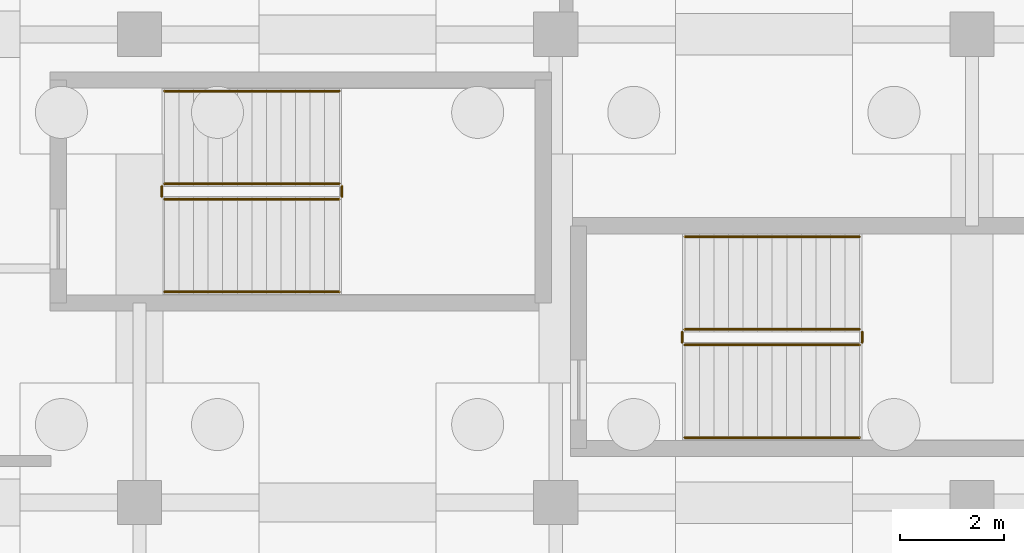
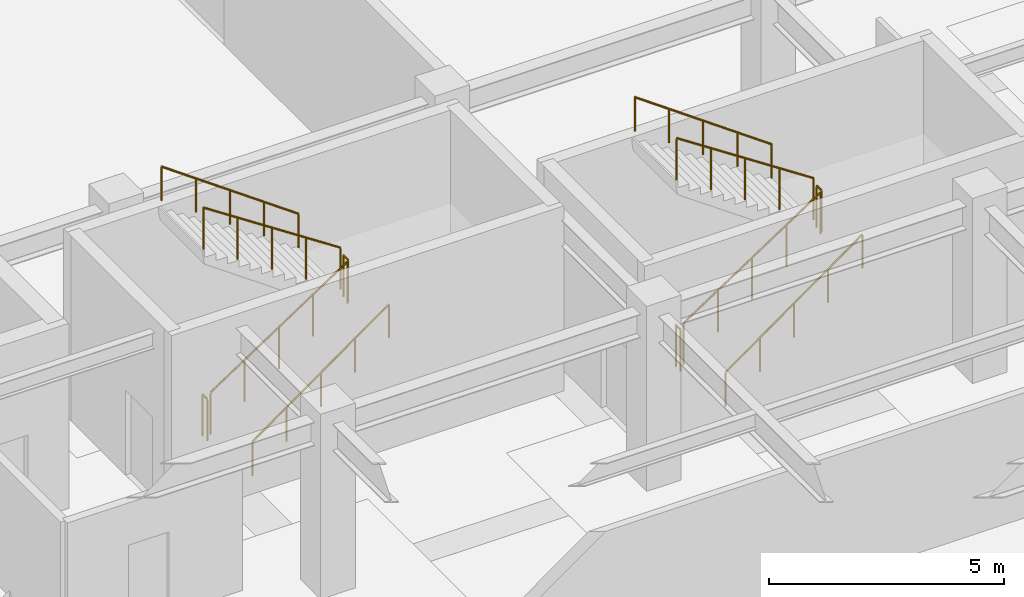
# One storey, part 40 of 48: 12 railings.
"""IFC4 building model written with IfcOpenShell, lengths in metres."""

from ifc_helpers import new_model, si_unit, direction, frame, origin, origin_2d, place, context, subcontext, project, spatial, circle, extrude, material, type_object, element, save


model = new_model("IFC4")

# Units and contexts
model_context = context("Model", 3, precision=1e-05, world=origin(), true_north=direction((0.0, 1.0)))
body_context = subcontext(model_context, "Body", "Model", "MODEL_VIEW")
ifc_project = project(units=[si_unit("LENGTHUNIT", "METRE"), si_unit("AREAUNIT", "SQUARE_METRE"), si_unit("VOLUMEUNIT", "CUBIC_METRE"), si_unit("PLANEANGLEUNIT", "RADIAN"), si_unit("MASSUNIT", "GRAM", prefix="KILO")], contexts=[model_context])

# Site, building, storey
site_placement = place(None, origin())
site = spatial("IfcSite", under=ifc_project, at=site_placement, CompositionType="ELEMENT")
building_placement = place(site_placement, origin())
building = spatial("IfcBuilding", under=site, at=building_placement, Name="Tlacozan Convention Centre", CompositionType="ELEMENT")
storey_placement = place(building_placement, frame((0.0, 0.0, -4.800048828125)))
storey = spatial("IfcBuildingStorey", under=building, at=storey_placement, Name="B01", CompositionType="ELEMENT", Elevation=-4.800048828125)

# Railings
ifc_material = material(Name="Architectural Painted Galvanised Steel Railing", Category="steel")
railing_type_1 = type_object("IfcRailingType", Name="Stair Wall Handrail 900", PredefinedType="HANDRAIL", material=ifc_material)
railing_1_placement = place(storey_placement, frame((40.47998046875, 22.050048828125, 0.1845703125)))
element("IfcRailing", 1, at=railing_1_placement, inside=storey, type_object=railing_type_1, Name="B01 ST-04 stair handrail 1", PredefinedType="HANDRAIL", context=body_context, shape_type="SweptSolid", body=[
    extrude(circle(Radius=0.02392578125, at=origin_2d()), frame((0.0, 0.0, 0.8759765625), z_axis=(0.813725481382, 0.0, 0.581249379312), x_axis=(0.0, 1.0, 0.0)), (0.0, 0.0, 1.0), 4.12939453125),
    extrude(circle(Radius=0.02099609375, at=origin_2d()), origin(), (0.0, 0.0, 1.0), 0.851806640625),
    extrude(circle(Radius=0.02099609375, at=origin_2d()), frame((0.840087890625, 0.0, 0.60009765625)), (0.0, 0.0, 1.0), 0.851806640625),
    extrude(circle(Radius=0.02099609375, at=origin_2d()), frame((1.68017578125, 0.0, 1.2001953125)), (0.0, 0.0, 1.0), 0.851806640625),
    extrude(circle(Radius=0.02099609375, at=origin_2d()), frame((2.52001953125, 0.0, 1.800048828125)), (0.0, 0.0, 1.0), 0.851806640625),
    extrude(circle(Radius=0.02099609375, at=origin_2d()), frame((3.360107421875, 0.0, 2.400146484375)), (0.0, 0.0, 1.0), 0.851806640625),
])
railing_2_placement = place(storey_placement, frame((43.840087890625, 25.909912109375, 2.584716796875)))
element("IfcRailing", 2, at=railing_2_placement, inside=storey, type_object=railing_type_1, Name="B01 ST-04 stair handrail 2", PredefinedType="HANDRAIL", context=body_context, shape_type="SweptSolid", body=[
    extrude(circle(Radius=0.02392578125, at=origin_2d()), frame((0.0, 0.0, 0.8759765625), z_axis=(-0.813753445783, 0.0, 0.581210228297), x_axis=(0.0, -1.0, 0.0)), (0.0, 0.0, 1.0), 4.129150390625),
    extrude(circle(Radius=0.02099609375, at=origin_2d()), origin(), (0.0, 0.0, 1.0), 0.851806640625),
    extrude(circle(Radius=0.02099609375, at=origin_2d()), frame((-0.840087890625, 0.0, 0.60009765625)), (0.0, 0.0, 1.0), 0.851806640625),
    extrude(circle(Radius=0.02099609375, at=origin_2d()), frame((-1.68017578125, 0.0, 1.199951171875)), (0.0, 0.0, 1.0), 0.851806640625),
    extrude(circle(Radius=0.02099609375, at=origin_2d()), frame((-2.52001953125, 0.0, 1.7998046875)), (0.0, 0.0, 1.0), 0.851806640625),
    extrude(circle(Radius=0.02099609375, at=origin_2d()), frame((-3.360107421875, 0.0, 2.39990234375)), (0.0, 0.0, 1.0), 0.851806640625),
])
railing_3_placement = place(storey_placement, frame((50.47998046875, 19.25, 0.1845703125)))
element("IfcRailing", 3, at=railing_3_placement, inside=storey, type_object=railing_type_1, Name="B01 ST-14 stair handrail 1", PredefinedType="HANDRAIL", context=body_context, shape_type="SweptSolid", body=[
    extrude(circle(Radius=0.02392578125, at=origin_2d()), frame((0.0, 0.0, 0.8759765625), z_axis=(0.813725481382, 0.0, 0.581249379312), x_axis=(0.0, 1.0, 0.0)), (0.0, 0.0, 1.0), 4.12939453125),
    extrude(circle(Radius=0.02099609375, at=origin_2d()), origin(), (0.0, 0.0, 1.0), 0.851806640625),
    extrude(circle(Radius=0.02099609375, at=origin_2d()), frame((0.840087890625, 0.0, 0.60009765625)), (0.0, 0.0, 1.0), 0.851806640625),
    extrude(circle(Radius=0.02099609375, at=origin_2d()), frame((1.68017578125, 0.0, 1.2001953125)), (0.0, 0.0, 1.0), 0.851806640625),
    extrude(circle(Radius=0.02099609375, at=origin_2d()), frame((2.52001953125, 0.0, 1.800048828125)), (0.0, 0.0, 1.0), 0.851806640625),
    extrude(circle(Radius=0.02099609375, at=origin_2d()), frame((3.360107421875, 0.0, 2.400146484375)), (0.0, 0.0, 1.0), 0.851806640625),
])
railing_4_placement = place(storey_placement, frame((53.840087890625, 23.110107421875, 2.584716796875)))
element("IfcRailing", 4, at=railing_4_placement, inside=storey, type_object=railing_type_1, Name="B01 ST-14 stair handrail 2", PredefinedType="HANDRAIL", context=body_context, shape_type="SweptSolid", body=[
    extrude(circle(Radius=0.02392578125, at=origin_2d()), frame((0.0, 0.0, 0.8759765625), z_axis=(-0.813753445783, 0.0, 0.581210228297), x_axis=(0.0, -1.0, 0.0)), (0.0, 0.0, 1.0), 4.129150390625),
    extrude(circle(Radius=0.02099609375, at=origin_2d()), origin(), (0.0, 0.0, 1.0), 0.851806640625),
    extrude(circle(Radius=0.02099609375, at=origin_2d()), frame((-0.840087890625, 0.0, 0.60009765625)), (0.0, 0.0, 1.0), 0.851806640625),
    extrude(circle(Radius=0.02099609375, at=origin_2d()), frame((-1.68017578125, 0.0, 1.199951171875)), (0.0, 0.0, 1.0), 0.851806640625),
    extrude(circle(Radius=0.02099609375, at=origin_2d()), frame((-2.52001953125, 0.0, 1.7998046875)), (0.0, 0.0, 1.0), 0.851806640625),
    extrude(circle(Radius=0.02099609375, at=origin_2d()), frame((-3.360107421875, 0.0, 2.39990234375)), (0.0, 0.0, 1.0), 0.851806640625),
])
railing_type_2 = type_object("IfcRailingType", Name="Stair Well Guardrail 1100", PredefinedType="GUARDRAIL", material=ifc_material)
railing_5_placement = place(storey_placement, frame((40.47998046875, 23.830078125, 0.1845703125)))
element("IfcRailing", 5, at=railing_5_placement, inside=storey, type_object=railing_type_2, Name="B01 ST-04 stair guard 1", PredefinedType="GUARDRAIL", context=body_context, shape_type="SweptSolid", body=[
    extrude(circle(Radius=0.02392578125, at=origin_2d()), frame((0.0, 0.0, 1.076171875), z_axis=(0.834848600103, 0.0, 0.550479622607), x_axis=(0.0, 1.0, 0.0)), (0.0, 0.0, 1.0), 4.02490234375),
    extrude(circle(Radius=0.02099609375, at=origin_2d()), origin(), (0.0, 0.0, 1.0), 1.052001953125),
    extrude(circle(Radius=0.02099609375, at=origin_2d()), frame((0.840087890625, 0.0, 0.553955078125)), (0.0, 0.0, 1.0), 1.052001953125),
    extrude(circle(Radius=0.02099609375, at=origin_2d()), frame((1.68017578125, 0.0, 1.10791015625)), (0.0, 0.0, 1.0), 1.052001953125),
    extrude(circle(Radius=0.02099609375, at=origin_2d()), frame((2.52001953125, 0.0, 1.66162109375)), (0.0, 0.0, 1.0), 1.052001953125),
    extrude(circle(Radius=0.02099609375, at=origin_2d()), frame((3.360107421875, 0.0, 2.215576171875)), (0.0, 0.0, 1.0), 1.052001953125),
])
railing_6_placement = place(storey_placement, frame((43.889892578125, 23.8798828125, 2.400146484375)))
element("IfcRailing", 6, at=railing_6_placement, inside=storey, type_object=railing_type_2, Name="B01 ST-04 stair guard 2", PredefinedType="GUARDRAIL", context=body_context, shape_type="SweptSolid", body=[
    extrude(circle(Radius=0.02392578125, at=origin_2d()), frame((0.0, 0.0, 1.076171875), z_axis=(0.0, 1.0, 0.0), x_axis=(-1.0, 0.0, 0.0)), (0.0, 0.0, 1.0), 0.2001953125),
    extrude(circle(Radius=0.02099609375, at=origin_2d()), origin(), (0.0, 0.0, 1.0), 1.052001953125),
    extrude(circle(Radius=0.02099609375, at=origin_2d()), frame((0.0, 0.2001953125, 0.0)), (0.0, 0.0, 1.0), 1.052001953125),
])
railing_7_placement = place(storey_placement, frame((43.840087890625, 24.1298828125, 2.584716796875)))
element("IfcRailing", 7, at=railing_7_placement, inside=storey, type_object=railing_type_2, Name="B01 ST-04 stair guard 3", PredefinedType="GUARDRAIL", context=body_context, shape_type="SweptSolid", body=[
    extrude(circle(Radius=0.02392578125, at=origin_2d()), frame((0.0, 0.0, 1.076171875), z_axis=(-0.834876476806, 0.0, 0.550437342915), x_axis=(0.0, -1.0, 0.0)), (0.0, 0.0, 1.0), 4.024658203125),
    extrude(circle(Radius=0.02099609375, at=origin_2d()), origin(), (0.0, 0.0, 1.0), 1.052001953125),
    extrude(circle(Radius=0.02099609375, at=origin_2d()), frame((-0.840087890625, 0.0, 0.5537109375)), (0.0, 0.0, 1.0), 1.052001953125),
    extrude(circle(Radius=0.02099609375, at=origin_2d()), frame((-1.68017578125, 0.0, 1.107666015625)), (0.0, 0.0, 1.0), 1.052001953125),
    extrude(circle(Radius=0.02099609375, at=origin_2d()), frame((-2.52001953125, 0.0, 1.66162109375)), (0.0, 0.0, 1.0), 1.052001953125),
    extrude(circle(Radius=0.02099609375, at=origin_2d()), frame((-3.360107421875, 0.0, 2.21533203125)), (0.0, 0.0, 1.0), 1.052001953125),
])
railing_8_placement = place(storey_placement, frame((40.429931640625, 23.8798828125, 0.0)))
element("IfcRailing", 8, at=railing_8_placement, inside=storey, type_object=railing_type_2, Name="B01 ST-04 stair guard 4", PredefinedType="GUARDRAIL", context=body_context, shape_type="SweptSolid", body=[
    extrude(circle(Radius=0.02392578125, at=origin_2d()), frame((0.0, 0.0, 1.076171875), z_axis=(0.0, 1.0, 0.0), x_axis=(-1.0, 0.0, 0.0)), (0.0, 0.0, 1.0), 0.2001953125),
    extrude(circle(Radius=0.02099609375, at=origin_2d()), origin(), (0.0, 0.0, 1.0), 1.052001953125),
    extrude(circle(Radius=0.02099609375, at=origin_2d()), frame((0.0, 0.2001953125, 0.0)), (0.0, 0.0, 1.0), 1.052001953125),
])
railing_9_placement = place(storey_placement, frame((50.47998046875, 21.030029296875, 0.1845703125)))
element("IfcRailing", 9, at=railing_9_placement, inside=storey, type_object=railing_type_2, Name="B01 ST-14 stair guard 1", PredefinedType="GUARDRAIL", context=body_context, shape_type="SweptSolid", body=[
    extrude(circle(Radius=0.02392578125, at=origin_2d()), frame((0.0, 0.0, 1.076171875), z_axis=(0.834848600103, 0.0, 0.550479622607), x_axis=(0.0, 1.0, 0.0)), (0.0, 0.0, 1.0), 4.02490234375),
    extrude(circle(Radius=0.02099609375, at=origin_2d()), origin(), (0.0, 0.0, 1.0), 1.052001953125),
    extrude(circle(Radius=0.02099609375, at=origin_2d()), frame((0.840087890625, 0.0, 0.553955078125)), (0.0, 0.0, 1.0), 1.052001953125),
    extrude(circle(Radius=0.02099609375, at=origin_2d()), frame((1.68017578125, 0.0, 1.10791015625)), (0.0, 0.0, 1.0), 1.052001953125),
    extrude(circle(Radius=0.02099609375, at=origin_2d()), frame((2.52001953125, 0.0, 1.66162109375)), (0.0, 0.0, 1.0), 1.052001953125),
    extrude(circle(Radius=0.02099609375, at=origin_2d()), frame((3.360107421875, 0.0, 2.215576171875)), (0.0, 0.0, 1.0), 1.052001953125),
])
railing_10_placement = place(storey_placement, frame((53.889892578125, 21.080078125, 2.400146484375)))
element("IfcRailing", 10, at=railing_10_placement, inside=storey, type_object=railing_type_2, Name="B01 ST-14 stair guard 2", PredefinedType="GUARDRAIL", context=body_context, shape_type="SweptSolid", body=[
    extrude(circle(Radius=0.02392578125, at=origin_2d()), frame((0.0, 0.0, 1.076171875), z_axis=(0.0, 1.0, 0.0), x_axis=(-1.0, 0.0, 0.0)), (0.0, 0.0, 1.0), 0.199951171875),
    extrude(circle(Radius=0.02099609375, at=origin_2d()), origin(), (0.0, 0.0, 1.0), 1.052001953125),
    extrude(circle(Radius=0.02099609375, at=origin_2d()), frame((0.0, 0.199951171875, 0.0)), (0.0, 0.0, 1.0), 1.052001953125),
])
railing_11_placement = place(storey_placement, frame((53.840087890625, 21.330078125, 2.584716796875)))
element("IfcRailing", 11, at=railing_11_placement, inside=storey, type_object=railing_type_2, Name="B01 ST-14 stair guard 3", PredefinedType="GUARDRAIL", context=body_context, shape_type="SweptSolid", body=[
    extrude(circle(Radius=0.02392578125, at=origin_2d()), frame((0.0, 0.0, 1.076171875), z_axis=(-0.834876476806, 0.0, 0.550437342915), x_axis=(0.0, -1.0, 0.0)), (0.0, 0.0, 1.0), 4.024658203125),
    extrude(circle(Radius=0.02099609375, at=origin_2d()), origin(), (0.0, 0.0, 1.0), 1.052001953125),
    extrude(circle(Radius=0.02099609375, at=origin_2d()), frame((-0.840087890625, 0.0, 0.5537109375)), (0.0, 0.0, 1.0), 1.052001953125),
    extrude(circle(Radius=0.02099609375, at=origin_2d()), frame((-1.68017578125, 0.0, 1.107666015625)), (0.0, 0.0, 1.0), 1.052001953125),
    extrude(circle(Radius=0.02099609375, at=origin_2d()), frame((-2.52001953125, 0.0, 1.66162109375)), (0.0, 0.0, 1.0), 1.052001953125),
    extrude(circle(Radius=0.02099609375, at=origin_2d()), frame((-3.360107421875, 0.0, 2.21533203125)), (0.0, 0.0, 1.0), 1.052001953125),
])
railing_12_placement = place(storey_placement, frame((50.429931640625, 21.080078125, 0.0)))
element("IfcRailing", 12, at=railing_12_placement, inside=storey, type_object=railing_type_2, Name="B01 ST-14 stair guard 4", PredefinedType="GUARDRAIL", context=body_context, shape_type="SweptSolid", body=[
    extrude(circle(Radius=0.02392578125, at=origin_2d()), frame((0.0, 0.0, 1.076171875), z_axis=(0.0, 1.0, 0.0), x_axis=(-1.0, 0.0, 0.0)), (0.0, 0.0, 1.0), 0.199951171875),
    extrude(circle(Radius=0.02099609375, at=origin_2d()), origin(), (0.0, 0.0, 1.0), 1.052001953125),
    extrude(circle(Radius=0.02099609375, at=origin_2d()), frame((0.0, 0.199951171875, 0.0)), (0.0, 0.0, 1.0), 1.052001953125),
])

save(model, "model.ifc")
